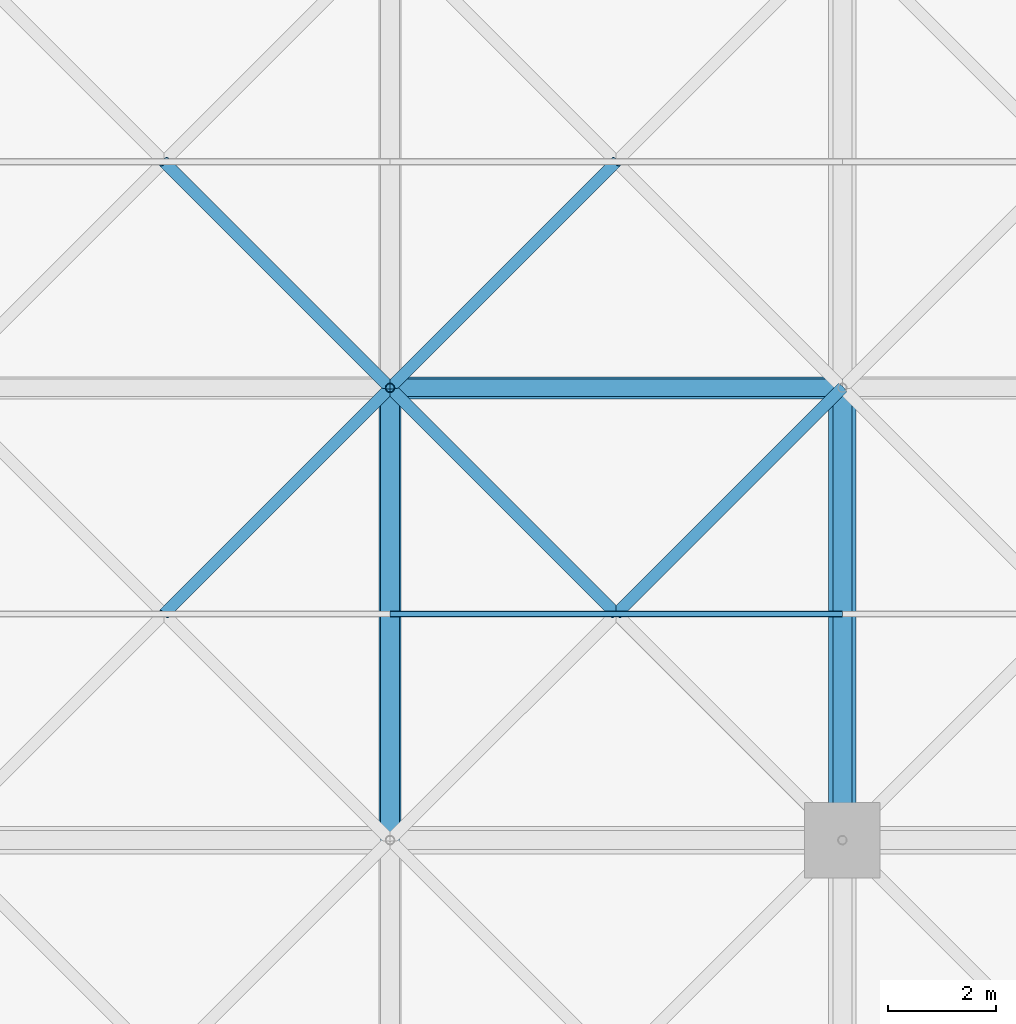
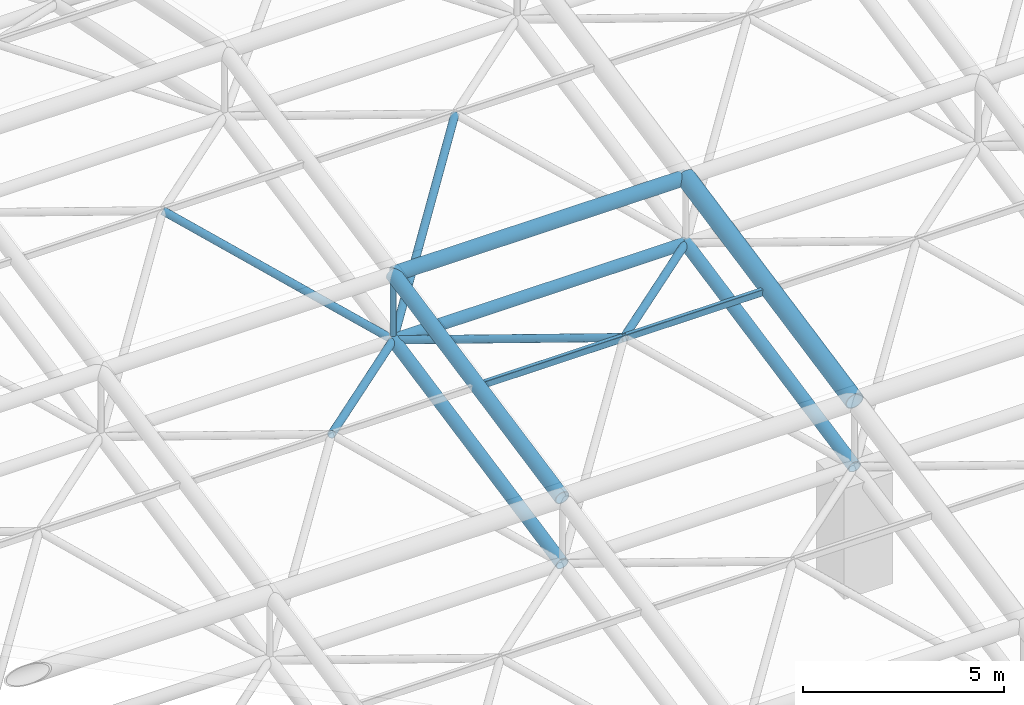
# One storey, part 37 of 81: 13 members.
"""IFC4 building model written with IfcOpenShell, lengths in metres."""

from ifc_helpers import new_model, si_unit, direction, frame, origin, origin_2d, place, context, subcontext, project, spatial, hollow_rectangle, hollow_circle, extrude, material, material_profile, profile_set, type_object, element, save


model = new_model("IFC4")

# Units and contexts
model_context = context("Model", 3, precision=1e-05, world=origin(), true_north=direction((0.0, 1.0)))
body_context = subcontext(model_context, "Body", "Model", "MODEL_VIEW")
ifc_project = project(units=[si_unit("LENGTHUNIT", "METRE"), si_unit("AREAUNIT", "SQUARE_METRE"), si_unit("VOLUMEUNIT", "CUBIC_METRE"), si_unit("PLANEANGLEUNIT", "RADIAN"), si_unit("MASSUNIT", "GRAM", prefix="KILO")], contexts=[model_context])

# Site, building, storey
site_placement = place(None, origin())
site = spatial("IfcSite", under=ifc_project, at=site_placement, CompositionType="ELEMENT")
building_placement = place(site_placement, origin())
building = spatial("IfcBuilding", under=site, at=building_placement, Name="Qawsi Khor Wholesale Market", CompositionType="ELEMENT")
storey_placement = place(building_placement, frame((0.0, 0.0, 16.199951171875)))
storey = spatial("IfcBuildingStorey", under=building, at=storey_placement, Name="L03", CompositionType="ELEMENT", Elevation=16.199951171875)

# Members
ifc_material = material(Name="Steel S355", Category="steel")
ifc_material_profile_1 = material_profile(ifc_material, hollow_circle(Radius=0.177734375, WallThickness=0.01611328125, at=origin_2d()), Name="CHS 355.6x16.0")
ifc_profile_set_1 = profile_set([ifc_material_profile_1], Name="Steel S355")
member_type_1 = type_object("IfcMemberType", Name="Space-Frame Bottom Chord CHS 355.6x16.0", PredefinedType="CHORD", material=ifc_profile_set_1)
for number, where, z_axis, x_axis, name in (
    (1, (50.39990234375, 58.800048828125, 3.3701171875), (0.0, 0.980129990483, 0.1983562496), (-1.0, 0.0, 0.0), "Space frame bottom chord Y WH (6,7)"),
    (2, (58.800048828125, 58.800048828125, 3.3701171875), (0.0, 0.980129990483, 0.1983562496), (-1.0, 0.0, 0.0), "Space frame bottom chord Y WH (7,7)"),
):
    element("IfcMember", number, at=place(storey_placement, frame(where, z_axis=z_axis, x_axis=x_axis)), inside=storey, type_object=member_type_1, Name=name, PredefinedType="CHORD", context=body_context, shape_type="SweptSolid", body=[
        extrude(hollow_circle(Radius=0.177734375, WallThickness=0.01611328125, at=origin_2d()), origin(), (0.0, 0.0, 1.0), 8.5703125),
    ])
ifc_material_profile_2 = material_profile(ifc_material, hollow_rectangle(XDim=0.1201171875, YDim=0.199951171875, WallThickness=0.008056640625, InnerFilletRadius=0.008056640625, OuterFilletRadius=0.01611328125, at=origin_2d()), Name="RHS 200x120x8.0")
ifc_profile_set_2 = profile_set([ifc_material_profile_2], Name="Steel S355")
member_type_2 = type_object("IfcMemberType", Name="Space-Frame Heavy Purlin RHS 200x120x8.0", PredefinedType="PURLIN", material=ifc_profile_set_2)
member_1_placement = place(storey_placement, frame((50.39990234375, 63.0, 6.219970703125), z_axis=(1.0, 0.0, 0.0), x_axis=(0.0, 1.0, 0.0)))
element("IfcMember", 3, at=member_1_placement, inside=storey, type_object=member_type_2, Name="Space frame purlin WH (6,7)", PredefinedType="PURLIN", context=body_context, shape_type="SweptSolid", body=[
    extrude(hollow_rectangle(XDim=0.1201171875, YDim=0.199951171875, WallThickness=0.008056640625, InnerFilletRadius=0.008056640625, OuterFilletRadius=0.01611328125, at=origin_2d()), origin(), (0.0, 0.0, 1.0), 8.400146484375),
])
ifc_material_profile_3 = material_profile(ifc_material, hollow_circle(Radius=0.109619140625, WallThickness=0.010009765625, at=origin_2d()), Name="CHS 219.1x10.0")
ifc_profile_set_3 = profile_set([ifc_material_profile_3], Name="Steel S355")
member_type_3 = type_object("IfcMemberType", Name="Space-Frame Inner Diagonal CHS 219.1x10.0", PredefinedType="RAFTER", material=ifc_profile_set_3)
member_2_placement = place(storey_placement, frame((50.39990234375, 67.199951171875, 5.070068359375), z_axis=(-0.694216714393, -0.694216714393, 0.190069216113), x_axis=(0.707106781187, -0.707106781187, 0.0)))
element("IfcMember", 4, at=member_2_placement, inside=storey, type_object=member_type_3, Name="Space frame diagonal WH (5,7)-3", PredefinedType="RAFTER", context=body_context, shape_type="SweptSolid", body=[
    extrude(hollow_circle(Radius=0.109619140625, WallThickness=0.010009765625, at=origin_2d()), origin(), (0.0, 0.0, 1.0), 6.0498046875),
])
member_3_placement = place(storey_placement, frame((50.39990234375, 67.199951171875, 5.070068359375), z_axis=(-0.637511741089, 0.637511741089, 0.432617105474), x_axis=(-0.707106781187, -0.707106781187, 0.0)))
element("IfcMember", 5, at=member_3_placement, inside=storey, type_object=member_type_3, Name="Space frame diagonal WH (5,8)-2", PredefinedType="RAFTER", context=body_context, shape_type="SweptSolid", body=[
    extrude(hollow_circle(Radius=0.109619140625, WallThickness=0.010009765625, at=origin_2d()), origin(), (0.0, 0.0, 1.0), 6.588134765625),
])
member_4_placement = place(storey_placement, frame((58.800048828125, 67.199951171875, 5.070068359375), z_axis=(-0.694216714393, -0.694216714393, 0.190069216113), x_axis=(0.707106781187, -0.707106781187, 0.0)))
element("IfcMember", 6, at=member_4_placement, inside=storey, type_object=member_type_3, Name="Space frame diagonal WH (6,7)-3", PredefinedType="RAFTER", context=body_context, shape_type="SweptSolid", body=[
    extrude(hollow_circle(Radius=0.109619140625, WallThickness=0.010009765625, at=origin_2d()), origin(), (0.0, 0.0, 1.0), 6.0498046875),
])
member_5_placement = place(storey_placement, frame((50.39990234375, 67.199951171875, 5.070068359375), z_axis=(0.694237619642, -0.694197266374, 0.19006389145), x_axis=(0.70708622964, 0.707127332136, 0.0)))
element("IfcMember", 7, at=member_5_placement, inside=storey, type_object=member_type_3, Name="Space frame diagonal WH (6,7)-4", PredefinedType="RAFTER", context=body_context, shape_type="SweptSolid", body=[
    extrude(hollow_circle(Radius=0.109619140625, WallThickness=0.010009765625, at=origin_2d()), origin(), (0.0, 0.0, 1.0), 6.050048828125),
])
member_6_placement = place(storey_placement, frame((50.39990234375, 67.199951171875, 5.070068359375), z_axis=(0.637533737254, 0.637496679957, 0.432606884951), x_axis=(-0.70708622964, 0.707127332136, 0.0)))
element("IfcMember", 8, at=member_6_placement, inside=storey, type_object=member_type_3, Name="Space frame diagonal WH (6,8)-1", PredefinedType="RAFTER", context=body_context, shape_type="SweptSolid", body=[
    extrude(hollow_circle(Radius=0.109619140625, WallThickness=0.010009765625, at=origin_2d()), origin(), (0.0, 0.0, 1.0), 6.588134765625),
])
ifc_material_profile_4 = material_profile(ifc_material, hollow_circle(Radius=0.25390625, WallThickness=0.02490234375, at=origin_2d()), Name="CHS 508.0x25.0")
ifc_profile_set_4 = profile_set([ifc_material_profile_4], Name="Steel S355")
member_type_4 = type_object("IfcMemberType", Name="Space-Frame Main Chord CHS 508.0x25.0", PredefinedType="CHORD", material=ifc_profile_set_4)
member_7_placement = place(storey_placement, frame((58.800048828125, 58.800048828125, 5.3701171875), z_axis=(0.0, 0.980129990483, 0.1983562496), x_axis=(-1.0, 0.0, 0.0)))
element("IfcMember", 9, at=member_7_placement, inside=storey, type_object=member_type_4, Name="Space frame top chord Y WH (7,7)", PredefinedType="CHORD", context=body_context, shape_type="SweptSolid", body=[
    extrude(hollow_circle(Radius=0.25390625, WallThickness=0.02490234375, at=origin_2d()), origin(), (0.0, 0.0, 1.0), 8.5703125),
])
ifc_material_profile_5 = material_profile(ifc_material, hollow_circle(Radius=0.161865234375, WallThickness=0.01611328125, at=origin_2d()), Name="CHS 323.9x16.0")
ifc_profile_set_5 = profile_set([ifc_material_profile_5], Name="Steel S355")
member_type_5 = type_object("IfcMemberType", Name="Space-Frame Secondary Chord CHS 323.9x16.0", PredefinedType="CHORD", material=ifc_profile_set_5)
member_8_placement = place(storey_placement, frame((50.39990234375, 67.199951171875, 5.070068359375), z_axis=(1.0, 0.0, 0.0), x_axis=(0.0, 1.0, 0.0)))
element("IfcMember", 10, at=member_8_placement, inside=storey, type_object=member_type_5, Name="Space frame bottom chord X WH (6,8)", PredefinedType="CHORD", context=body_context, shape_type="SweptSolid", body=[
    extrude(hollow_circle(Radius=0.161865234375, WallThickness=0.01611328125, at=origin_2d()), origin(), (0.0, 0.0, 1.0), 8.400146484375),
])
ifc_material_profile_6 = material_profile(ifc_material, hollow_circle(Radius=0.203125, WallThickness=0.02001953125, at=origin_2d()), Name="CHS 406.4x20.0")
ifc_profile_set_6 = profile_set([ifc_material_profile_6], Name="Steel S355")
member_type_6 = type_object("IfcMemberType", Name="Space-Frame Top Chord CHS 406.4x20.0", PredefinedType="CHORD", material=ifc_profile_set_6)
member_9_placement = place(storey_placement, frame((50.39990234375, 58.800048828125, 5.3701171875), z_axis=(0.0, 0.980129990483, 0.1983562496), x_axis=(-1.0, 0.0, 0.0)))
element("IfcMember", 11, at=member_9_placement, inside=storey, type_object=member_type_6, Name="Space frame top chord Y WH (6,7)", PredefinedType="CHORD", context=body_context, shape_type="SweptSolid", body=[
    extrude(hollow_circle(Radius=0.203125, WallThickness=0.02001953125, at=origin_2d()), origin(), (0.0, 0.0, 1.0), 8.5703125),
])
member_10_placement = place(storey_placement, frame((50.39990234375, 67.199951171875, 7.070068359375), z_axis=(1.0, 0.0, 0.0), x_axis=(0.0, 1.0, 0.0)))
element("IfcMember", 12, at=member_10_placement, inside=storey, type_object=member_type_6, Name="Space frame top chord X WH (6,8)", PredefinedType="CHORD", context=body_context, shape_type="SweptSolid", body=[
    extrude(hollow_circle(Radius=0.203125, WallThickness=0.02001953125, at=origin_2d()), origin(), (0.0, 0.0, 1.0), 8.400146484375),
])
ifc_material_profile_7 = material_profile(ifc_material, hollow_circle(Radius=0.084228515625, WallThickness=0.008056640625, at=origin_2d()), Name="CHS 168.3x8.0")
ifc_profile_set_7 = profile_set([ifc_material_profile_7], Name="Steel S355")
member_type_7 = type_object("IfcMemberType", Name="Space-Frame Vertical Strut CHS 168.3x8.0", PredefinedType="STRUT", material=ifc_profile_set_7)
member_11_placement = place(storey_placement, frame((50.39990234375, 67.199951171875, 5.070068359375), z_axis=(0.0, 0.0, 1.0), x_axis=(1.0, 0.0, 0.0)))
element("IfcMember", 13, at=member_11_placement, inside=storey, type_object=member_type_7, Name="Space frame post WH (6,8)", PredefinedType="STRUT", context=body_context, shape_type="SweptSolid", body=[
    extrude(hollow_circle(Radius=0.084228515625, WallThickness=0.008056640625, at=origin_2d()), origin(), (0.0, 0.0, 1.0), 2.0),
])

save(model, "model.ifc")
